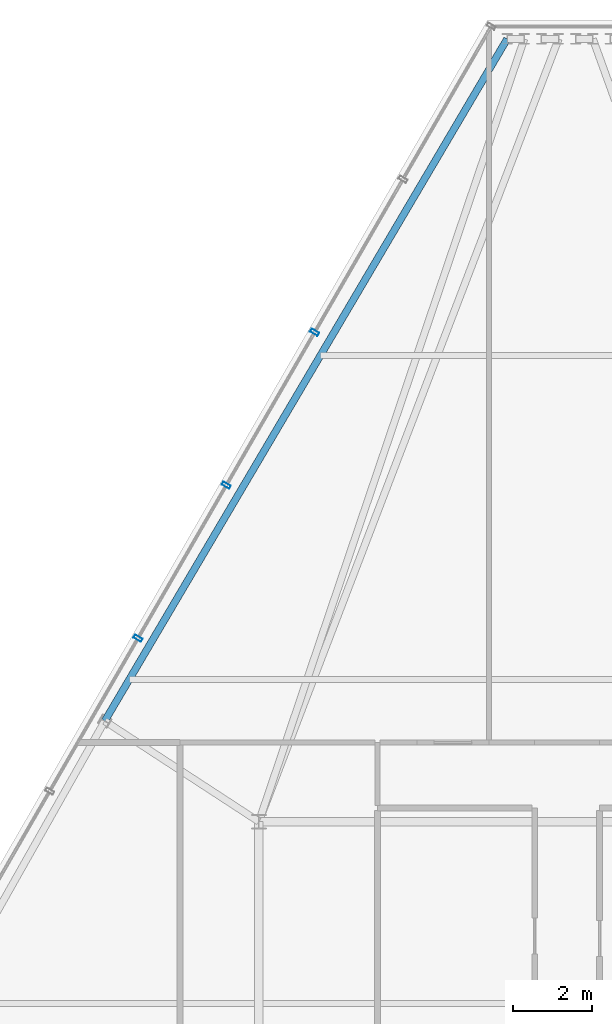
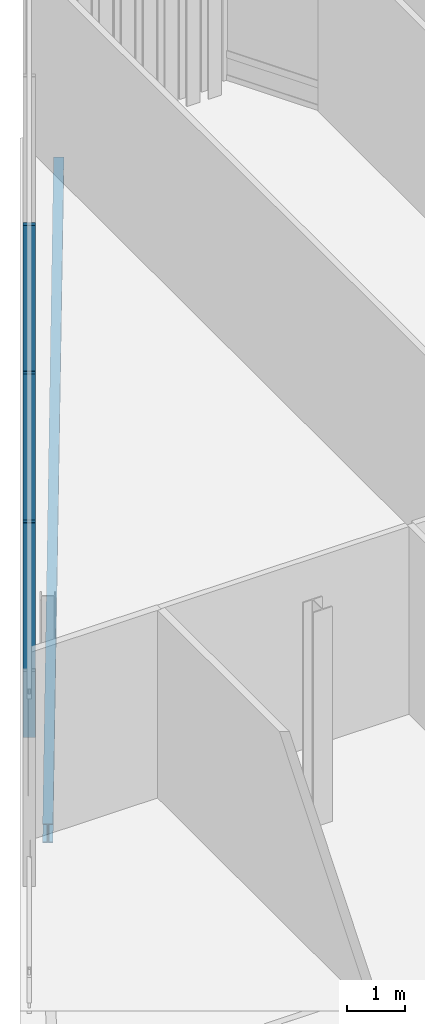
# One storey, part 11 of 25: 3 members, 1 beam, 1 element without a shape of its own.
"""IFC4 building model written with IfcOpenShell, lengths in metres."""

from ifc_helpers import new_model, si_unit, direction, frame, origin, origin_2d, place, context, subcontext, project, spatial, hollow_rectangle, i_section, extrude, material, layer, layer_set, material_profile, profile_set, type_object, element, aggregate, save


model = new_model("IFC4")

# Units and contexts
model_context = context("Model", 3, precision=1e-05, world=origin(), true_north=direction((0.0, 1.0)))
body_context = subcontext(model_context, "Body", "Model", "MODEL_VIEW")
ifc_project = project(units=[si_unit("LENGTHUNIT", "METRE"), si_unit("AREAUNIT", "SQUARE_METRE"), si_unit("VOLUMEUNIT", "CUBIC_METRE"), si_unit("PLANEANGLEUNIT", "RADIAN"), si_unit("MASSUNIT", "GRAM", prefix="KILO")], contexts=[model_context])

# Site, building, storey
site_placement = place(None, origin())
site = spatial("IfcSite", under=ifc_project, at=site_placement, CompositionType="ELEMENT")
building_placement = place(site_placement, origin())
building = spatial("IfcBuilding", under=site, at=building_placement, Name="Ndaravel Arena Tower", CompositionType="ELEMENT")
storey_placement = place(building_placement, frame((0.0, 0.0, 298.5)))
storey = spatial("IfcBuildingStorey", under=building, at=storey_placement, Name="L73", CompositionType="ELEMENT", Elevation=298.5)

# Beam
ifc_material_1 = material(Name="Steel S355", Category="steel")
ifc_material_profile_1 = material_profile(ifc_material_1, i_section(OverallWidth=0.179931640625, OverallDepth=0.39990234375, WebThickness=0.008544921875, FlangeThickness=0.013427734375, FilletRadius=0.02099609375, at=origin_2d()), Name="IPE 400")
ifc_profile_set_1 = profile_set([ifc_material_profile_1], Name="Steel S355")
beam_type = type_object("IfcBeamType", Name="BM-SPAN-IPE400", PredefinedType="SPANDREL", material=ifc_profile_set_1)
beam_placement = place(storey_placement, frame((40.481689453125, 43.00537109375, -0.47998046875), z_axis=(-0.508092559304, -0.861302473687, 0.0), x_axis=(0.861302473687, -0.508092559304, 0.0)))
element("IfcBeam", 1, at=beam_placement, inside=storey, type_object=beam_type, Name="L73 Perimeter Spandrel Beam SP-18", PredefinedType="SPANDREL", context=body_context, shape_type="SweptSolid", body=[
    extrude(i_section(OverallWidth=0.179931640625, OverallDepth=0.39990234375, WebThickness=0.008544921875, FlangeThickness=0.013427734375, FilletRadius=0.02099609375, at=origin_2d()), origin(), (0.0, 0.0, 1.0), 20.03955078125),
])

# Curtain wall, members
ifc_material_2 = material(Name="Aluminium", Category="aluminium")
ifc_layer = layer(ifc_material_2, 0.179931640625)
ifc_layer_set = layer_set([ifc_layer], Name="Aluminium")
curtain_wall_type = type_object("IfcCurtainWallType", Name="CW-SYS-04", PredefinedType="NOTDEFINED", material=ifc_layer_set)
curtain_wall_placement = place(storey_placement, origin())
curtain_wall = element("IfcCurtainWall", 2, at=curtain_wall_placement, inside=storey, type_object=curtain_wall_type, Name="L73 Faceted Crystal Curtain Wall CW-L73-E05", PredefinedType="NOTDEFINED")
ifc_material_3 = material(Name="Aluminium", Category="aluminium")
ifc_material_profile_2 = material_profile(ifc_material_3, hollow_rectangle(XDim=0.090087890625, YDim=0.219970703125, WallThickness=0.0048828125, at=origin_2d()), Name="CW MULLION 90x220x5")
ifc_profile_set_2 = profile_set([ifc_material_profile_2], Name="Aluminium")
member_type = type_object("IfcMemberType", Name="MEM-CW-MUL220", PredefinedType="MULLION", material=ifc_profile_set_2)
member_1_placement = place(storey_placement, frame((35.610107421875, 35.5830078125, 0.0), z_axis=(0.0, 0.0, 1.0), x_axis=(-0.5, -0.866025403784, 0.0)))
member_1 = element("IfcMember", 3, at=member_1_placement, type_object=member_type, Name="CW-L73-E05 Mullion 02", PredefinedType="MULLION", context=body_context, shape_type="SweptSolid", body=[
    extrude(hollow_rectangle(XDim=0.090087890625, YDim=0.219970703125, WallThickness=0.0048828125, at=origin_2d()), origin(), (0.0, 0.0, 1.0), 4.52001953125),
])
member_2_placement = place(storey_placement, frame((33.375244140625, 31.7119140625, 0.0), z_axis=(0.0, 0.0, 1.0), x_axis=(-0.5, -0.866025403784, 0.0)))
member_2 = element("IfcMember", 4, at=member_2_placement, type_object=member_type, Name="CW-L73-E05 Mullion 03", PredefinedType="MULLION", context=body_context, shape_type="SweptSolid", body=[
    extrude(hollow_rectangle(XDim=0.090087890625, YDim=0.219970703125, WallThickness=0.0048828125, at=origin_2d()), origin(), (0.0, 0.0, 1.0), 4.52001953125),
])
member_3_placement = place(storey_placement, frame((31.14013671875, 27.8408203125, 0.0), z_axis=(0.0, 0.0, 1.0), x_axis=(-0.5, -0.866025403784, 0.0)))
member_3 = element("IfcMember", 5, at=member_3_placement, type_object=member_type, Name="CW-L73-E05 Mullion 04", PredefinedType="MULLION", context=body_context, shape_type="SweptSolid", body=[
    extrude(hollow_rectangle(XDim=0.090087890625, YDim=0.219970703125, WallThickness=0.0048828125, at=origin_2d()), origin(), (0.0, 0.0, 1.0), 4.52001953125),
])
aggregate(curtain_wall, [member_1, member_2, member_3])

save(model, "model.ifc")
